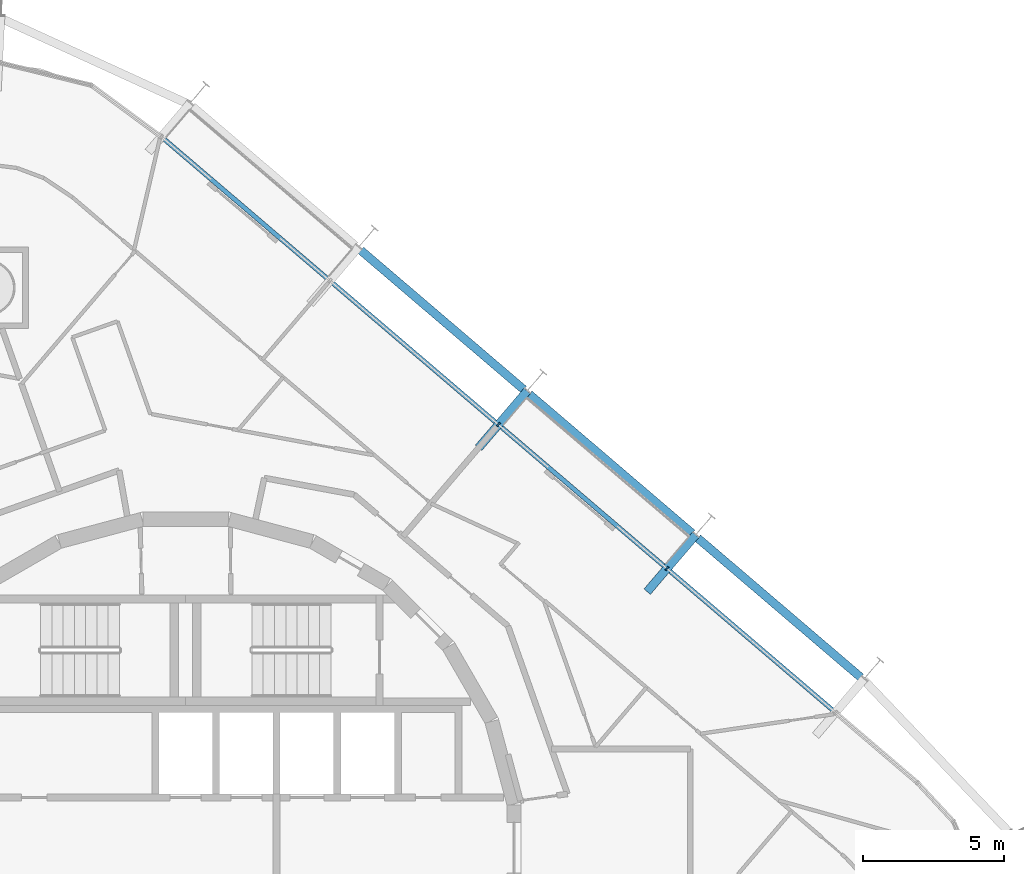
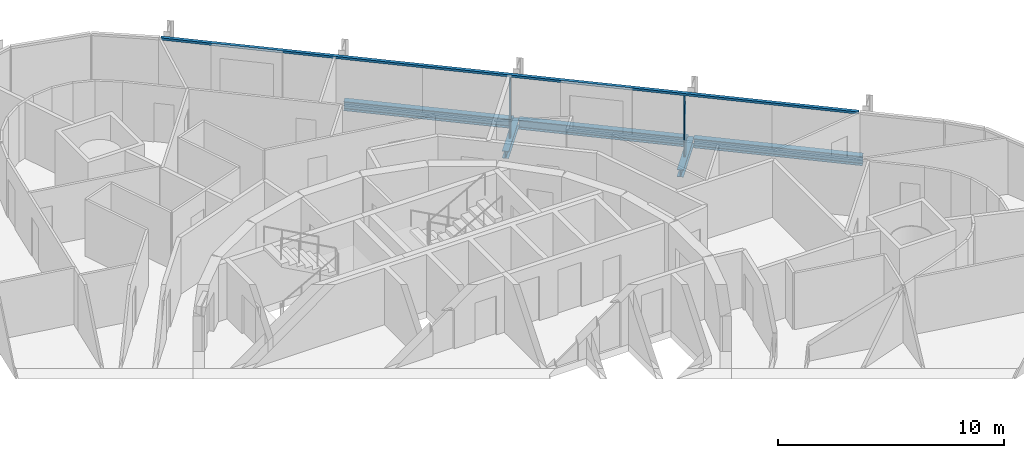
# One storey, part 8 of 17: 5 beams, 3 members, 1 element without a shape of its own.
"""IFC4 building model written with IfcOpenShell, lengths in metres."""

from ifc_helpers import new_model, si_unit, direction, frame, origin, origin_2d, place, context, subcontext, project, spatial, rectangle, i_section, extrude, material, layer, layer_set, material_profile, profile_set, type_object, element, aggregate, save


model = new_model("IFC4")

# Units and contexts
model_context = context("Model", 3, precision=1e-05, world=origin(), true_north=direction((0.0, 1.0)))
body_context = subcontext(model_context, "Body", "Model", "MODEL_VIEW")
ifc_project = project(units=[si_unit("LENGTHUNIT", "METRE"), si_unit("AREAUNIT", "SQUARE_METRE"), si_unit("VOLUMEUNIT", "CUBIC_METRE"), si_unit("PLANEANGLEUNIT", "RADIAN"), si_unit("MASSUNIT", "GRAM", prefix="KILO")], contexts=[model_context])

# Site, building, storey
site_placement = place(None, origin())
site = spatial("IfcSite", under=ifc_project, at=site_placement, CompositionType="ELEMENT")
building_placement = place(site_placement, origin())
building = spatial("IfcBuilding", under=site, at=building_placement, Name="Spindle Arch Residences", CompositionType="ELEMENT")
storey_placement = place(building_placement, frame((0.0, 0.0, 179.699951171875)))
storey = spatial("IfcBuildingStorey", under=building, at=storey_placement, Name="L45", CompositionType="ELEMENT", Elevation=179.699951171875)

# Curtain wall, members
ifc_material_1 = material(Name="Aluminium bronze unitised frame with tinted glass", Category="aluminium")
ifc_layer = layer(ifc_material_1, 0.159912109375)
ifc_layer_set = layer_set([ifc_layer], Name="CW-C typical residential unitised wall")
curtain_wall_type = type_object("IfcCurtainWallType", Name="CW-C typical residential unitised wall", PredefinedType="NOTDEFINED", material=ifc_layer_set)
curtain_wall_placement = place(storey_placement, origin())
curtain_wall = element("IfcCurtainWall", 1, at=curtain_wall_placement, inside=storey, type_object=curtain_wall_type, Name="CW-C L45 run 2", PredefinedType="NOTDEFINED")
ifc_material_2 = material(Name="Aluminium bronze anodised mullion", Category="aluminium")
ifc_material_profile_1 = material_profile(ifc_material_2, rectangle(XDim=0.159912109375, YDim=0.06005859375, at=origin_2d()), Name="MU 60x160")
ifc_profile_set_1 = profile_set([ifc_material_profile_1], Name="Aluminium bronze anodised mullion")
member_type_1 = type_object("IfcMemberType", Name="Bronze mullion 60x160", PredefinedType="MULLION", material=ifc_profile_set_1)
member_1_placement = place(storey_placement, frame((17.06884765625, 9.8994140625, -0.3798828125), z_axis=(0.0, 0.0, 1.0), x_axis=(-0.64944804833, -0.7604059656, 0.0)))
member_1 = element("IfcMember", 2, at=member_1_placement, type_object=member_type_1, Name="CW-C mullion 06", PredefinedType="MULLION", context=body_context, shape_type="SweptSolid", body=[
    extrude(rectangle(XDim=0.159912109375, YDim=0.06005859375, at=origin_2d()), origin(), (0.0, 0.0, 1.0), 3.309814453125),
])
member_2_placement = place(storey_placement, frame((11.092041015625, 15.004150390625, -0.3798828125), z_axis=(0.0, 0.0, 1.0), x_axis=(-0.64944804833, -0.7604059656, 0.0)))
member_2 = element("IfcMember", 3, at=member_2_placement, type_object=member_type_1, Name="CW-C mullion 07", PredefinedType="MULLION", context=body_context, shape_type="SweptSolid", body=[
    extrude(rectangle(XDim=0.159912109375, YDim=0.06005859375, at=origin_2d()), origin(), (0.0, 0.0, 1.0), 3.309814453125),
])
ifc_material_3 = material(Name="Aluminium bronze anodised transom", Category="aluminium")
ifc_material_profile_2 = material_profile(ifc_material_3, rectangle(XDim=0.159912109375, YDim=0.1201171875, at=origin_2d()), Name="TR 120x160")
ifc_profile_set_2 = profile_set([ifc_material_profile_2], Name="Aluminium bronze anodised transom")
member_type_2 = type_object("IfcMemberType", Name="Bronze transom 120x160", PredefinedType="USERDEFINED", material=ifc_profile_set_2)
member_3_placement = place(storey_placement, frame((23.02294921875, 4.814208984375, 2.989990234375), z_axis=(-0.760406495952, 0.649447427368, 0.0), x_axis=(-0.649447427368, -0.760406495952, 0.0)))
member_3 = element("IfcMember", 4, at=member_3_placement, type_object=member_type_2, Name="CW-C transom 00", ObjectType="TRANSOM", PredefinedType="USERDEFINED", context=body_context, shape_type="SweptSolid", body=[
    extrude(rectangle(XDim=0.159912109375, YDim=0.1201171875, at=origin_2d()), origin(), (0.0, 0.0, 1.0), 31.38037109375),
])
aggregate(curtain_wall, [member_3, member_1, member_2])

# Beams
ifc_material_4 = material(Name="Steel S460ML, intumescent coating R 120", Category="steel")
ifc_material_profile_3 = material_profile(ifc_material_4, i_section(OverallWidth=0.300048828125, OverallDepth=0.5, WebThickness=0.014404296875, FlangeThickness=0.028076171875, FilletRadius=0.027099609375, at=origin_2d()), Name="HEB 500")
ifc_profile_set_3 = profile_set([ifc_material_profile_3], Name="Steel S460ML, intumescent coating R 120")
beam_type_1 = type_object("IfcBeamType", Name="Exoskeleton edge beam HEB 500", PredefinedType="BEAM", material=ifc_profile_set_3)
for number, where, z_axis, x_axis, name in (
    (5, (23.9404296875, 6.04248046875, -0.6298828125), (-0.760389211598, 0.649467664234, 0.0), (-0.649467664234, -0.760389211598, 0.0), "Exoskeleton edge beam 6"),
    (6, (17.963623046875, 11.147216796875, -0.6298828125), (-0.760389211598, 0.649467664234, 0.0), (-0.649467664234, -0.760389211598, 0.0), "Exoskeleton edge beam 7"),
):
    element("IfcBeam", number, at=place(storey_placement, frame(where, z_axis=z_axis, x_axis=x_axis)), inside=storey, type_object=beam_type_1, Name=name, PredefinedType="BEAM", context=body_context, shape_type="SweptSolid", body=[
        extrude(i_section(OverallWidth=0.300048828125, OverallDepth=0.5, WebThickness=0.014404296875, FlangeThickness=0.028076171875, FilletRadius=0.027099609375, at=origin_2d()), origin(), (0.0, 0.0, 1.0), 7.60009765625),
    ])
beam_placement = place(storey_placement, frame((11.98681640625, 16.251953125, -0.6298828125), z_axis=(-0.760402760949, 0.649451800476, 0.0), x_axis=(-0.649451800476, -0.760402760949, 0.0)))
element("IfcBeam", 7, at=beam_placement, inside=storey, type_object=beam_type_1, Name="Exoskeleton edge beam 8", PredefinedType="BEAM", context=body_context, shape_type="SweptSolid", body=[
    extrude(i_section(OverallWidth=0.300048828125, OverallDepth=0.5, WebThickness=0.014404296875, FlangeThickness=0.028076171875, FilletRadius=0.027099609375, at=origin_2d()), origin(), (0.0, 0.0, 1.0), 7.600341796875),
])
ifc_material_5 = material(Name="Steel S460ML, intumescent coating R 120", Category="steel")
ifc_material_profile_4 = material_profile(ifc_material_5, i_section(OverallWidth=0.300048828125, OverallDepth=0.389892578125, WebThickness=0.010986328125, FlangeThickness=0.01904296875, FilletRadius=0.027099609375, at=origin_2d()), Name="HEA 400")
ifc_profile_set_4 = profile_set([ifc_material_profile_4], Name="Steel S460ML, intumescent coating R 120")
beam_type_2 = type_object("IfcBeamType", Name="Floor outrigger HEA 400", PredefinedType="BEAM", material=ifc_profile_set_4)
for number, where, z_axis, x_axis, name in (
    (8, (18.08837890625, 11.09326171875, -0.574951171875), (-0.64941704551, -0.760432443417, 0.0), (0.760432443417, -0.64941704551, 0.0), "Floor outrigger 7"),
    (9, (12.111572265625, 16.197998046875, -0.574951171875), (-0.64941704551, -0.760432443417, 0.0), (0.760432443417, -0.64941704551, 0.0), "Floor outrigger 8"),
):
    element("IfcBeam", number, at=place(storey_placement, frame(where, z_axis=z_axis, x_axis=x_axis)), inside=storey, type_object=beam_type_2, Name=name, PredefinedType="BEAM", context=body_context, shape_type="SweptSolid", body=[
        extrude(i_section(OverallWidth=0.300048828125, OverallDepth=0.389892578125, WebThickness=0.010986328125, FlangeThickness=0.01904296875, FilletRadius=0.027099609375, at=origin_2d()), origin(), (0.0, 0.0, 1.0), 2.64990234375),
    ])

save(model, "model.ifc")
